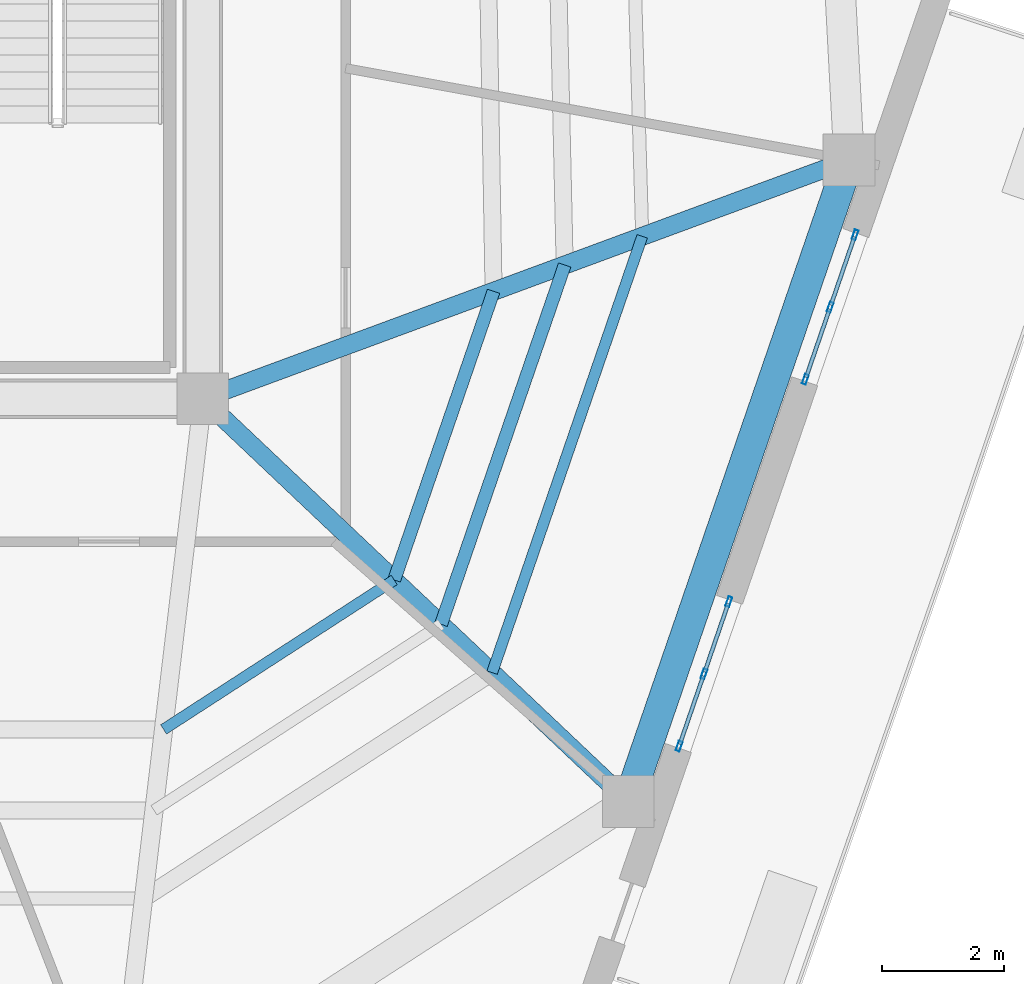
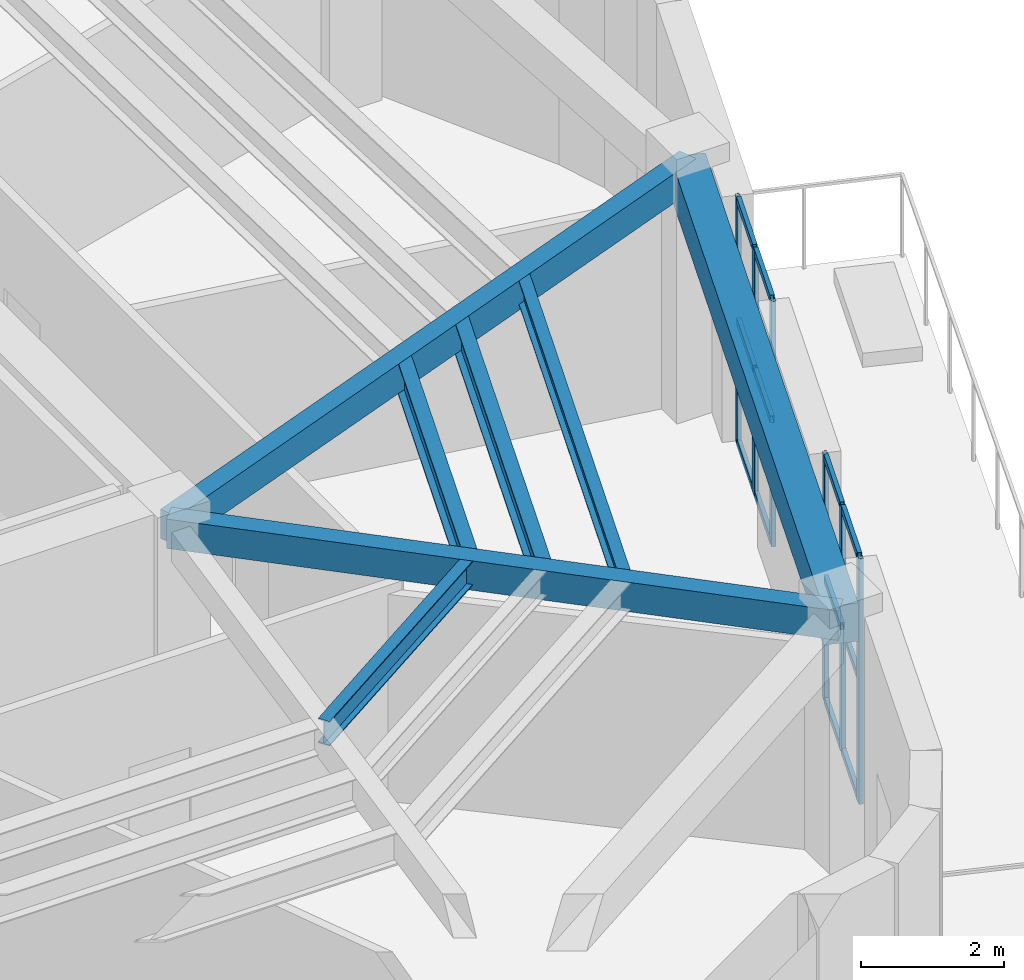
# One storey, part 4 of 15: 18 members, 7 beams, 2 elements without a shape of their own.
"""IFC4 building model written with IfcOpenShell, lengths in metres."""

from ifc_helpers import new_model, si_unit, direction, frame, origin, origin_2d, place, context, subcontext, project, spatial, rectangle, hollow_rectangle, i_section, extrude, material, layer, layer_set, material_profile, profile_set, type_object, element, aggregate, save


model = new_model("IFC4")

# Units and contexts
model_context = context("Model", 3, precision=1e-05, world=origin(), true_north=direction((0.0, 1.0)))
body_context = subcontext(model_context, "Body", "Model", "MODEL_VIEW")
ifc_project = project(units=[si_unit("LENGTHUNIT", "METRE"), si_unit("AREAUNIT", "SQUARE_METRE"), si_unit("VOLUMEUNIT", "CUBIC_METRE"), si_unit("PLANEANGLEUNIT", "RADIAN"), si_unit("MASSUNIT", "GRAM", prefix="KILO")], contexts=[model_context])

# Site, building, storey
site_placement = place(None, origin())
site = spatial("IfcSite", under=ifc_project, at=site_placement, CompositionType="ELEMENT")
building_placement = place(site_placement, origin())
building = spatial("IfcBuilding", under=site, at=building_placement, Name="Kilnhurst Terrace Hotel", CompositionType="ELEMENT")
storey_placement = place(building_placement, frame((0.0, 0.0, 293.10009765625)))
storey = spatial("IfcBuildingStorey", under=building, at=storey_placement, Name="L73", CompositionType="ELEMENT", Elevation=293.10009765625)

# Beams
ifc_material_1 = material(Name="Concrete C50/60", Category="concrete")
ifc_material_profile_1 = material_profile(ifc_material_1, rectangle(XDim=0.300048828125, YDim=0.5, at=origin_2d()), Name="RC300X500")
ifc_profile_set_1 = profile_set([ifc_material_profile_1], Name="Concrete C50/60")
beam_type_1 = type_object("IfcBeamType", Name="BM-RAD-300X500", PredefinedType="BEAM", material=ifc_profile_set_1)
beam_1_placement = place(storey_placement, frame((9.0, -7.5, 3.929931640625), z_axis=(0.726256338973, -0.687423981326, 0.0), x_axis=(0.687423981326, 0.726256338973, 0.0)))
element("IfcBeam", 1, at=beam_1_placement, inside=storey, type_object=beam_type_1, Name="L73 Radial Floor Beam 3", PredefinedType="BEAM", context=body_context, shape_type="SweptSolid", body=[
    extrude(rectangle(XDim=0.300048828125, YDim=0.5, at=origin_2d()), origin(), (0.0, 0.0, 1.0), 9.6318359375),
])
beam_2_placement = place(storey_placement, frame((9.0, -7.5, 3.929931640625), z_axis=(0.938001507479, 0.3466311757, 0.0), x_axis=(-0.3466311757, 0.938001507479, 0.0)))
element("IfcBeam", 2, at=beam_2_placement, inside=storey, type_object=beam_type_1, Name="L73 Radial Floor Beam 4", PredefinedType="BEAM", context=body_context, shape_type="SweptSolid", body=[
    extrude(rectangle(XDim=0.300048828125, YDim=0.5, at=origin_2d()), origin(), (0.0, 0.0, 1.0), 11.326171875),
])
ifc_material_profile_2 = material_profile(ifc_material_1, rectangle(XDim=0.5, YDim=0.64990234375, at=origin_2d()), Name="RC500X650")
ifc_profile_set_2 = profile_set([ifc_material_profile_2], Name="Concrete C50/60")
beam_type_2 = type_object("IfcBeamType", Name="BM-SPN-500X650", PredefinedType="SPANDREL", material=ifc_profile_set_2)
beam_3_placement = place(storey_placement, frame((15.9951171875, -14.12109375, 3.85498046875), z_axis=(0.325347079026, 0.945594669068, 0.0), x_axis=(-0.945594669068, 0.325347079026, 0.0)))
element("IfcBeam", 3, at=beam_3_placement, inside=storey, type_object=beam_type_2, Name="L73 Perimeter Spandrel Beam 3", PredefinedType="SPANDREL", context=body_context, shape_type="SweptSolid", body=[
    extrude(rectangle(XDim=0.5, YDim=0.64990234375, at=origin_2d()), origin(), (0.0, 0.0, 1.0), 11.154052734375),
])
ifc_material_2 = material(Name="Steel ASTM A992 Grade 50", Category="steel")
ifc_material_profile_3 = material_profile(ifc_material_2, i_section(OverallWidth=0.180908203125, OverallDepth=0.417236328125, WebThickness=0.010986328125, FlangeThickness=0.018310546875, at=origin_2d()), Name="W16X57")
ifc_profile_set_3 = profile_set([ifc_material_profile_3], Name="Steel ASTM A992 Grade 50")
beam_type_3 = type_object("IfcBeamType", Name="JST-STL-W16X57", PredefinedType="JOIST", material=ifc_profile_set_3)
beam_4_placement = place(storey_placement, frame((13.756591796875, -12.002197265625, 3.970947265625), z_axis=(0.325367628202, 0.945587598543, 0.0), x_axis=(-0.945587598543, 0.325367628202, 0.0)))
element("IfcBeam", 4, at=beam_4_placement, inside=storey, type_object=beam_type_3, Name="L73 Secondary Floor Steel Joist OUT.3", PredefinedType="JOIST", context=body_context, shape_type="SweptSolid", body=[
    extrude(i_section(OverallWidth=0.180908203125, OverallDepth=0.417236328125, WebThickness=0.010986328125, FlangeThickness=0.018310546875, at=origin_2d()), origin(), (0.0, 0.0, 1.0), 7.58447265625),
])
beam_5_placement = place(storey_placement, frame((8.35595703125, -12.93603515625, 3.970947265625), z_axis=(0.839261215199, 0.543728436503, 0.0), x_axis=(-0.543728436503, 0.839261215199, 0.0)))
element("IfcBeam", 5, at=beam_5_placement, inside=storey, type_object=beam_type_3, Name="L73 Secondary Floor Steel Joist IN.2", PredefinedType="JOIST", context=body_context, shape_type="SweptSolid", body=[
    extrude(i_section(OverallWidth=0.180908203125, OverallDepth=0.417236328125, WebThickness=0.010986328125, FlangeThickness=0.018310546875, at=origin_2d()), origin(), (0.0, 0.0, 1.0), 4.51806640625),
])
ifc_material_profile_4 = material_profile(ifc_material_2, i_section(OverallWidth=0.2138671875, OverallDepth=0.549072265625, WebThickness=0.0146484375, FlangeThickness=0.023681640625, at=origin_2d()), Name="W21X93")
ifc_profile_set_4 = profile_set([ifc_material_profile_4], Name="Steel ASTM A992 Grade 50")
beam_type_4 = type_object("IfcBeamType", Name="JST-STL-W21X93", PredefinedType="JOIST", material=ifc_profile_set_4)
beam_6_placement = place(storey_placement, frame((12.147705078125, -10.4794921875, 3.90478515625), z_axis=(0.325362511486, 0.94558935914, 0.0), x_axis=(-0.94558935914, 0.325362511486, 0.0)))
element("IfcBeam", 6, at=beam_6_placement, inside=storey, type_object=beam_type_4, Name="L73 Secondary Floor Steel Joist IN.3", PredefinedType="JOIST", context=body_context, shape_type="SweptSolid", body=[
    extrude(i_section(OverallWidth=0.2138671875, OverallDepth=0.549072265625, WebThickness=0.0146484375, FlangeThickness=0.023681640625, at=origin_2d()), origin(), (0.0, 0.0, 1.0), 5.019287109375),
])
beam_7_placement = place(storey_placement, frame((12.917236328125, -11.207763671875, 3.90478515625), z_axis=(0.325359404894, 0.945590428064, 0.0), x_axis=(-0.945590428064, 0.325359404894, 0.0)))
element("IfcBeam", 7, at=beam_7_placement, inside=storey, type_object=beam_type_4, Name="L73 Secondary Floor Steel Joist MID.3", PredefinedType="JOIST", context=body_context, shape_type="SweptSolid", body=[
    extrude(i_section(OverallWidth=0.2138671875, OverallDepth=0.549072265625, WebThickness=0.0146484375, FlangeThickness=0.023681640625, at=origin_2d()), origin(), (0.0, 0.0, 1.0), 6.24609375),
])

# Curtain wall, members
ifc_material_3 = material(Name="Anodized Aluminium Alloy 6063-T6 and Low-E Glass", Category="aluminium")
ifc_layer = layer(ifc_material_3, 0.219970703125, Name="Anodized Aluminium Alloy 6063-T6 and Low-E Glass")
ifc_layer_set = layer_set([ifc_layer], Name="Anodized Aluminium Alloy 6063-T6 and Low-E Glass")
curtain_wall_type = type_object("IfcCurtainWallType", Name="CW-PORTAL-L72", PredefinedType="NOTDEFINED", material=ifc_layer_set)
curtain_wall_1_placement = place(storey_placement, origin())
curtain_wall_1 = element("IfcCurtainWall", 8, at=curtain_wall_1_placement, inside=storey, type_object=curtain_wall_type, Name="L73 Curtain Wall CW-L73-F2-1", PredefinedType="NOTDEFINED")
ifc_material_4 = material(Name="Extruded Aluminium Alloy 6063-T6", Category="aluminium")
ifc_material_profile_5 = material_profile(ifc_material_4, hollow_rectangle(XDim=0.06494140625, YDim=0.1650390625, WallThickness=0.00341796875, at=origin_2d()), Name="CWM65X165")
ifc_profile_set_5 = profile_set([ifc_material_profile_5], Name="Extruded Aluminium Alloy 6063-T6")
member_type_1 = type_object("IfcMemberType", Name="MEM-CWM65X165", PredefinedType="MULLION", material=ifc_profile_set_5)
member_1_placement = place(storey_placement, frame((16.831298828125, -13.21142578125, 0.0), z_axis=(0.0, 0.0, 1.0), x_axis=(-0.945573214145, 0.325409429323, 0.0)))
member_1 = element("IfcMember", 9, at=member_1_placement, type_object=member_type_1, Name="CWP-5 mullion 1", PredefinedType="MULLION", context=body_context, shape_type="SweptSolid", body=[
    extrude(hollow_rectangle(XDim=0.06494140625, YDim=0.1650390625, WallThickness=0.00341796875, at=origin_2d()), origin(), (0.0, 0.0, 1.0), 4.179931640625),
])
member_2_placement = place(storey_placement, frame((17.239990234375, -12.023681640625, 0.0), z_axis=(0.0, 0.0, 1.0), x_axis=(-0.945573214145, 0.325409429323, 0.0)))
member_2 = element("IfcMember", 10, at=member_2_placement, type_object=member_type_1, Name="CWP-5 mullion 2", PredefinedType="MULLION", context=body_context, shape_type="SweptSolid", body=[
    extrude(hollow_rectangle(XDim=0.06494140625, YDim=0.1650390625, WallThickness=0.00341796875, at=origin_2d()), origin(), (0.0, 0.0, 1.0), 4.179931640625),
])
member_3_placement = place(storey_placement, frame((17.64892578125, -10.8359375, 0.0), z_axis=(0.0, 0.0, 1.0), x_axis=(-0.945573214145, 0.325409429323, 0.0)))
member_3 = element("IfcMember", 11, at=member_3_placement, type_object=member_type_1, Name="CWP-5 mullion 3", PredefinedType="MULLION", context=body_context, shape_type="SweptSolid", body=[
    extrude(hollow_rectangle(XDim=0.06494140625, YDim=0.1650390625, WallThickness=0.00341796875, at=origin_2d()), origin(), (0.0, 0.0, 1.0), 4.179931640625),
])

curtain_wall_2_placement = place(storey_placement, origin())
curtain_wall_2 = element("IfcCurtainWall", 12, at=curtain_wall_2_placement, inside=storey, type_object=curtain_wall_type, Name="L73 Curtain Wall CW-L73-F2-2", PredefinedType="NOTDEFINED")
member_4_placement = place(storey_placement, frame((18.906494140625, -7.181396484375, 0.0), z_axis=(0.0, 0.0, 1.0), x_axis=(-0.945581045156, 0.325386673117, 0.0)))
member_4 = element("IfcMember", 13, at=member_4_placement, type_object=member_type_1, Name="CWP-5 mullion 1", PredefinedType="MULLION", context=body_context, shape_type="SweptSolid", body=[
    extrude(hollow_rectangle(XDim=0.06494140625, YDim=0.1650390625, WallThickness=0.00341796875, at=origin_2d()), origin(), (0.0, 0.0, 1.0), 4.179931640625),
])
member_5_placement = place(storey_placement, frame((19.315185546875, -5.99365234375, 0.0), z_axis=(0.0, 0.0, 1.0), x_axis=(-0.945581045156, 0.325386673117, 0.0)))
member_5 = element("IfcMember", 14, at=member_5_placement, type_object=member_type_1, Name="CWP-5 mullion 2", PredefinedType="MULLION", context=body_context, shape_type="SweptSolid", body=[
    extrude(hollow_rectangle(XDim=0.06494140625, YDim=0.1650390625, WallThickness=0.00341796875, at=origin_2d()), origin(), (0.0, 0.0, 1.0), 4.179931640625),
])
member_6_placement = place(storey_placement, frame((19.723876953125, -4.80615234375, 0.0), z_axis=(0.0, 0.0, 1.0), x_axis=(-0.945581045156, 0.325386673117, 0.0)))
member_6 = element("IfcMember", 15, at=member_6_placement, type_object=member_type_1, Name="CWP-5 mullion 3", PredefinedType="MULLION", context=body_context, shape_type="SweptSolid", body=[
    extrude(hollow_rectangle(XDim=0.06494140625, YDim=0.1650390625, WallThickness=0.00341796875, at=origin_2d()), origin(), (0.0, 0.0, 1.0), 4.179931640625),
])

# Member
ifc_material_profile_6 = material_profile(ifc_material_4, hollow_rectangle(XDim=0.06494140625, YDim=0.1201171875, WallThickness=0.00341796875, at=origin_2d()), Name="CWT65X120")
ifc_profile_set_6 = profile_set([ifc_material_profile_6], Name="Extruded Aluminium Alloy 6063-T6")
member_type_2 = type_object("IfcMemberType", Name="MEM-CWT65X120", PredefinedType="USERDEFINED", material=ifc_profile_set_6)
member_7_placement = place(storey_placement, frame((16.842041015625, -13.1806640625, 0.032470703125), z_axis=(0.325314643349, 0.945605828463, 0.0), x_axis=(-0.945605828463, 0.325314643349, 0.0)))
member_7 = element("IfcMember", 16, at=member_7_placement, type_object=member_type_2, Name="CWP-5 transom 1.1", ObjectType="TRANSOM", PredefinedType="USERDEFINED", context=body_context, shape_type="SweptSolid", body=[
    extrude(hollow_rectangle(XDim=0.06494140625, YDim=0.1201171875, WallThickness=0.00341796875, at=origin_2d()), origin(), (0.0, 0.0, 1.0), 1.19091796875),
])

member_8_placement = place(storey_placement, frame((16.842041015625, -13.1806640625, 2.08984375), z_axis=(0.325314643349, 0.945605828463, 0.0), x_axis=(-0.945605828463, 0.325314643349, 0.0)))
member_8 = element("IfcMember", 17, at=member_8_placement, type_object=member_type_2, Name="CWP-5 transom 1.2", ObjectType="TRANSOM", PredefinedType="USERDEFINED", context=body_context, shape_type="SweptSolid", body=[
    extrude(hollow_rectangle(XDim=0.06494140625, YDim=0.1201171875, WallThickness=0.00341796875, at=origin_2d()), origin(), (0.0, 0.0, 1.0), 1.19091796875),
])

member_9_placement = place(storey_placement, frame((16.842041015625, -13.1806640625, 4.1474609375), z_axis=(0.325314643349, 0.945605828463, 0.0), x_axis=(-0.945605828463, 0.325314643349, 0.0)))
member_9 = element("IfcMember", 18, at=member_9_placement, type_object=member_type_2, Name="CWP-5 transom 1.3", ObjectType="TRANSOM", PredefinedType="USERDEFINED", context=body_context, shape_type="SweptSolid", body=[
    extrude(hollow_rectangle(XDim=0.06494140625, YDim=0.1201171875, WallThickness=0.00341796875, at=origin_2d()), origin(), (0.0, 0.0, 1.0), 1.19091796875),
])

member_10_placement = place(storey_placement, frame((17.250732421875, -11.992919921875, 0.032470703125), z_axis=(0.325314643349, 0.945605828463, 0.0), x_axis=(-0.945605828463, 0.325314643349, 0.0)))
member_10 = element("IfcMember", 19, at=member_10_placement, type_object=member_type_2, Name="CWP-5 transom 2.1", ObjectType="TRANSOM", PredefinedType="USERDEFINED", context=body_context, shape_type="SweptSolid", body=[
    extrude(hollow_rectangle(XDim=0.06494140625, YDim=0.1201171875, WallThickness=0.00341796875, at=origin_2d()), origin(), (0.0, 0.0, 1.0), 1.19091796875),
])

member_11_placement = place(storey_placement, frame((17.250732421875, -11.992919921875, 2.08984375), z_axis=(0.325314643349, 0.945605828463, 0.0), x_axis=(-0.945605828463, 0.325314643349, 0.0)))
member_11 = element("IfcMember", 20, at=member_11_placement, type_object=member_type_2, Name="CWP-5 transom 2.2", ObjectType="TRANSOM", PredefinedType="USERDEFINED", context=body_context, shape_type="SweptSolid", body=[
    extrude(hollow_rectangle(XDim=0.06494140625, YDim=0.1201171875, WallThickness=0.00341796875, at=origin_2d()), origin(), (0.0, 0.0, 1.0), 1.19091796875),
])

member_12_placement = place(storey_placement, frame((17.250732421875, -11.992919921875, 4.1474609375), z_axis=(0.325314643349, 0.945605828463, 0.0), x_axis=(-0.945605828463, 0.325314643349, 0.0)))
member_12 = element("IfcMember", 21, at=member_12_placement, type_object=member_type_2, Name="CWP-5 transom 2.3", ObjectType="TRANSOM", PredefinedType="USERDEFINED", context=body_context, shape_type="SweptSolid", body=[
    extrude(hollow_rectangle(XDim=0.06494140625, YDim=0.1201171875, WallThickness=0.00341796875, at=origin_2d()), origin(), (0.0, 0.0, 1.0), 1.19091796875),
])

aggregate(curtain_wall_1, [member_1, member_2, member_3, member_7, member_8, member_9, member_10, member_11, member_12])

member_13_placement = place(storey_placement, frame((18.9169921875, -7.150634765625, 0.032470703125), z_axis=(0.325497918472, 0.945542756871, 0.0), x_axis=(-0.945542756871, 0.325497918472, 0.0)))
member_13 = element("IfcMember", 22, at=member_13_placement, type_object=member_type_2, Name="CWP-5 transom 1.1", ObjectType="TRANSOM", PredefinedType="USERDEFINED", context=body_context, shape_type="SweptSolid", body=[
    extrude(hollow_rectangle(XDim=0.06494140625, YDim=0.1201171875, WallThickness=0.00341796875, at=origin_2d()), origin(), (0.0, 0.0, 1.0), 1.191162109375),
])

member_14_placement = place(storey_placement, frame((18.9169921875, -7.150634765625, 2.08984375), z_axis=(0.325497918472, 0.945542756871, 0.0), x_axis=(-0.945542756871, 0.325497918472, 0.0)))
member_14 = element("IfcMember", 23, at=member_14_placement, type_object=member_type_2, Name="CWP-5 transom 1.2", ObjectType="TRANSOM", PredefinedType="USERDEFINED", context=body_context, shape_type="SweptSolid", body=[
    extrude(hollow_rectangle(XDim=0.06494140625, YDim=0.1201171875, WallThickness=0.00341796875, at=origin_2d()), origin(), (0.0, 0.0, 1.0), 1.191162109375),
])

member_15_placement = place(storey_placement, frame((18.9169921875, -7.150634765625, 4.1474609375), z_axis=(0.325497918472, 0.945542756871, 0.0), x_axis=(-0.945542756871, 0.325497918472, 0.0)))
member_15 = element("IfcMember", 24, at=member_15_placement, type_object=member_type_2, Name="CWP-5 transom 1.3", ObjectType="TRANSOM", PredefinedType="USERDEFINED", context=body_context, shape_type="SweptSolid", body=[
    extrude(hollow_rectangle(XDim=0.06494140625, YDim=0.1201171875, WallThickness=0.00341796875, at=origin_2d()), origin(), (0.0, 0.0, 1.0), 1.191162109375),
])

member_16_placement = place(storey_placement, frame((19.32568359375, -5.963134765625, 0.032470703125), z_axis=(0.325314643349, 0.945605828463, 0.0), x_axis=(-0.945605828463, 0.325314643349, 0.0)))
member_16 = element("IfcMember", 25, at=member_16_placement, type_object=member_type_2, Name="CWP-5 transom 2.1", ObjectType="TRANSOM", PredefinedType="USERDEFINED", context=body_context, shape_type="SweptSolid", body=[
    extrude(hollow_rectangle(XDim=0.06494140625, YDim=0.1201171875, WallThickness=0.00341796875, at=origin_2d()), origin(), (0.0, 0.0, 1.0), 1.19091796875),
])

member_17_placement = place(storey_placement, frame((19.32568359375, -5.963134765625, 2.08984375), z_axis=(0.325314643349, 0.945605828463, 0.0), x_axis=(-0.945605828463, 0.325314643349, 0.0)))
member_17 = element("IfcMember", 26, at=member_17_placement, type_object=member_type_2, Name="CWP-5 transom 2.2", ObjectType="TRANSOM", PredefinedType="USERDEFINED", context=body_context, shape_type="SweptSolid", body=[
    extrude(hollow_rectangle(XDim=0.06494140625, YDim=0.1201171875, WallThickness=0.00341796875, at=origin_2d()), origin(), (0.0, 0.0, 1.0), 1.19091796875),
])

member_18_placement = place(storey_placement, frame((19.32568359375, -5.963134765625, 4.1474609375), z_axis=(0.325314643349, 0.945605828463, 0.0), x_axis=(-0.945605828463, 0.325314643349, 0.0)))
member_18 = element("IfcMember", 27, at=member_18_placement, type_object=member_type_2, Name="CWP-5 transom 2.3", ObjectType="TRANSOM", PredefinedType="USERDEFINED", context=body_context, shape_type="SweptSolid", body=[
    extrude(hollow_rectangle(XDim=0.06494140625, YDim=0.1201171875, WallThickness=0.00341796875, at=origin_2d()), origin(), (0.0, 0.0, 1.0), 1.19091796875),
])

aggregate(curtain_wall_2, [member_4, member_5, member_6, member_13, member_14, member_15, member_16, member_17, member_18])

save(model, "model.ifc")
